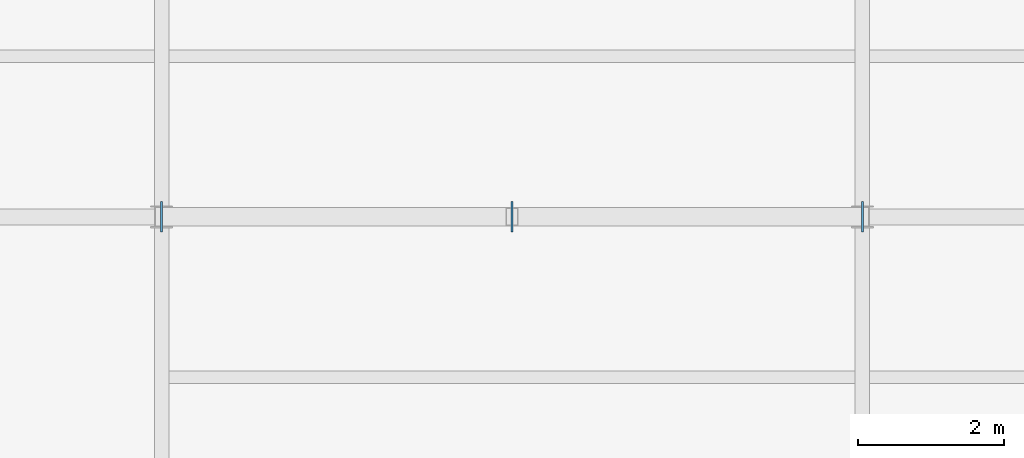
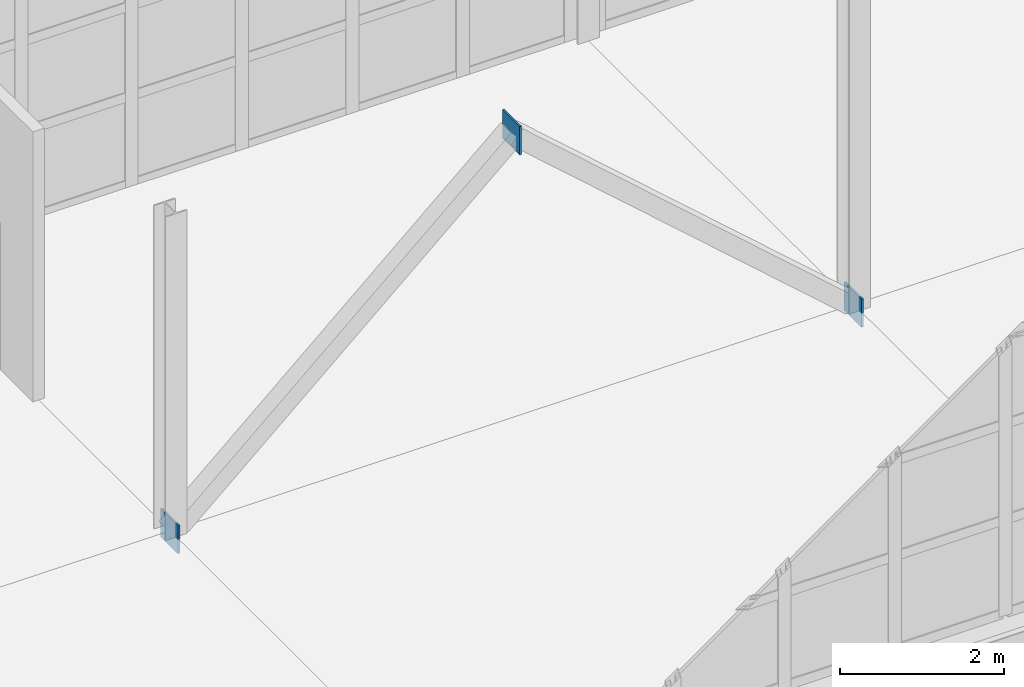
# One storey, part 105 of 120: 3 plates.
"""IFC4 building model written with IfcOpenShell, lengths in metres."""

import ifcopenshell
import ifcopenshell.guid

model = None  # the IFC model being written
_history = None  # IfcOwnerHistory: only IFC2X3 demands one
_inside = {}  # id of a spatial element -> (the spatial element, [elements in it])
_under = {}  # id of a project, library or spatial element -> (it, [spatial elements below it])
_declared = {}  # id of a project -> (the project, [libraries it declares])
_typed = {}  # id of a type object -> (the type object, [elements of that type])
_made_of = {}  # id of a material, layer set ... -> (it, [elements and type objects made of it])


def new_model(schema):
    """Start an empty IFC model of exactly this schema.

    Asked for "IFC4X3", IfcOpenShell would pick the latest addendum, in which some entities
    have other attributes; the version numbers below select the first issue.
    IFC2X3 requires an IfcOwnerHistory on every rooted entity: one is made here for all.
    """
    global model, _history
    if schema == "IFC4X3":
        model = ifcopenshell.file(schema_version=(4, 3, 0, 0))
    else:
        model = ifcopenshell.file(schema=schema)
    _inside.clear()
    _under.clear()
    _declared.clear()
    _typed.clear()
    _made_of.clear()
    _history = None
    if model.schema == "IFC2X3":
        org = make("IfcOrganization", Name="unknown")
        user = make(
            "IfcPersonAndOrganization",
            ThePerson=make("IfcPerson", FamilyName="unknown"),
            TheOrganization=org,
        )
        app = make(
            "IfcApplication",
            ApplicationDeveloper=org,
            Version="unknown",
            ApplicationFullName="unknown",
            ApplicationIdentifier="unknown",
        )
        _history = make(
            "IfcOwnerHistory",
            OwningUser=user,
            OwningApplication=app,
            ChangeAction="ADDED",
            CreationDate=0,
        )
    return model


def make(cls, **values):
    """One entity of the class cls with the attributes given. An attribute that is None is left unset."""
    return model.create_entity(
        cls, **{name: value for name, value in values.items() if value is not None}
    )


def rooted(cls, **values):
    """An entity with a GlobalId (a new one), such as an element, a storey or a relation."""
    return make(cls, GlobalId=ifcopenshell.guid.new(), OwnerHistory=_history, **values)


def si_unit(unit_type, name, prefix=None):
    """IfcSIUnit, for example si_unit("LENGTHUNIT", "METRE", prefix="MILLI")."""
    return make("IfcSIUnit", UnitType=unit_type, Prefix=prefix, Name=name)


def assignment(units):
    """IfcUnitAssignment: the units of a project."""
    return None if units is None else make("IfcUnitAssignment", Units=units)


def point(xyz):
    """IfcCartesianPoint."""
    return None if xyz is None else make("IfcCartesianPoint", Coordinates=xyz)


def direction(xyz):
    """IfcDirection."""
    return None if xyz is None else make("IfcDirection", DirectionRatios=xyz)


def frame(location, z_axis=None, x_axis=None):
    """IfcAxis2Placement3D, a coordinate frame: its origin and axes. An axis left out is left unset."""
    return make(
        "IfcAxis2Placement3D",
        Location=point(location),
        Axis=direction(z_axis),
        RefDirection=direction(x_axis),
    )


def frame_2d(location, x_axis=None):
    """IfcAxis2Placement2D, a coordinate frame in the plane: its origin and x axis."""
    return make(
        "IfcAxis2Placement2D", Location=point(location), RefDirection=direction(x_axis)
    )


def origin():
    """The frame at (0, 0, 0) with its axes left unset."""
    return frame((0.0, 0.0, 0.0))


def origin_2d():
    """The frame at (0, 0) in the plane with its x axis left unset."""
    return frame_2d((0.0, 0.0))


def place(relative_to, where):
    """IfcLocalPlacement: puts the frame where relative to a parent placement (None: the world)."""
    return make(
        "IfcLocalPlacement", PlacementRelTo=relative_to, RelativePlacement=where
    )


def context(
    kind, dimensions, precision=None, world=None, true_north=None, identifier=None
):
    """IfcGeometricRepresentationContext, for example the 3D "Model" context."""
    return make(
        "IfcGeometricRepresentationContext",
        ContextIdentifier=identifier,
        ContextType=kind,
        CoordinateSpaceDimension=dimensions,
        Precision=precision,
        WorldCoordinateSystem=world,
        TrueNorth=true_north,
    )


def subcontext(parent, identifier, kind, view, scale=None):
    """IfcGeometricRepresentationSubContext, for example "Body" below "Model"."""
    return make(
        "IfcGeometricRepresentationSubContext",
        ContextIdentifier=identifier,
        ContextType=kind,
        ParentContext=parent,
        TargetScale=scale,
        TargetView=view,
    )


def project(units=None, contexts=None):
    """IfcProject with its units and contexts."""
    return rooted(
        "IfcProject",
        Name="project",
        RepresentationContexts=contexts,
        UnitsInContext=assignment(units),
    )


def spatial(cls, under=None, at=None, **own):
    """A site, building, storey or space (cls), placed at a placement, below another one or the project."""
    s = rooted(cls, ObjectPlacement=at, **own)
    if under is not None:
        _under.setdefault(under.id(), (under, []))[1].append(s)
    return s


def profile(cls, at=None, kind="AREA", **sizes):
    """A parametric profile (cls). Its sizes go by their IFC names, for example OverallWidth=200.0."""
    return make(cls, ProfileType=kind, Position=at, **sizes)


def rectangle(**sizes):
    """IfcRectangleProfileDef."""
    return profile("IfcRectangleProfileDef", **sizes)


def extrude(swept, where, along, depth):
    """IfcExtrudedAreaSolid: the profile swept, set in the frame where, extruded along a direction by depth."""
    return make(
        "IfcExtrudedAreaSolid",
        SweptArea=swept,
        Position=where,
        ExtrudedDirection=direction(along),
        Depth=depth,
    )


def shape(context_of_items, identifier, shape_type, items):
    """IfcShapeRepresentation: the items that make up one representation, for example the "Body"."""
    return make(
        "IfcShapeRepresentation",
        ContextOfItems=context_of_items,
        RepresentationIdentifier=identifier,
        RepresentationType=shape_type,
        Items=items,
    )


def material(Name=None, Category=None):
    """IfcMaterial."""
    return make("IfcMaterial", Name=Name, Category=Category)


def layer(
    of_material, thickness, ventilated=None, Name=None, Category=None, Priority=None
):
    """IfcMaterialLayer: one layer of a wall or slab, of a material (None: an air gap)."""
    return make(
        "IfcMaterialLayer",
        Material=of_material,
        LayerThickness=thickness,
        IsVentilated=ventilated,
        Name=Name,
        Category=Category,
        Priority=Priority,
    )


def layer_set(layers, Name=None):
    """IfcMaterialLayerSet."""
    return make("IfcMaterialLayerSet", MaterialLayers=layers, LayerSetName=Name)


def made_of(thing, what):
    """Note that an element or type object is made of a material, layer set ...; save() writes the relation."""
    if what is not None:
        _made_of.setdefault(what.id(), (what, []))[1].append(thing)
    return thing


def type_object(cls, material=None, **own):
    """A type object (cls), such as IfcWallType, which elements share."""
    return made_of(rooted(cls, **own), material)


def element(
    cls,
    number,
    at=None,
    inside=None,
    cuts=None,
    type_object=None,
    material=None,
    context=None,
    identifier="Body",
    shape_type=None,
    held_by="IfcProductDefinitionShape",
    body=None,
    shapes=None,
    **own,
):
    """One element of the class cls, such as IfcWall. Its Tag is "e" and its number.

    at: its placement. inside: the storey or other place that contains it. cuts: it is an
    opening in that element (IfcRelVoidsElement). A single representation is given by context,
    identifier, shape_type and body (its items); several are given by shapes. held_by: the class
    of the entity that holds the representations. save() writes the other relations.
    """
    e = rooted(cls, Tag="e%d" % number, ObjectPlacement=at, **own)
    if body is not None:
        shapes = [shape(context, identifier, shape_type, body)]
    if shapes is not None:
        e.Representation = make(held_by, Representations=shapes)
    if inside is not None:
        _inside.setdefault(inside.id(), (inside, []))[1].append(e)
    if cuts is not None:
        rooted(
            "IfcRelVoidsElement", RelatingBuildingElement=cuts, RelatedOpeningElement=e
        )
    if type_object is not None:
        _typed.setdefault(type_object.id(), (type_object, []))[1].append(e)
    return made_of(e, material)


def aggregate(whole, parts):
    """IfcRelAggregates: a whole, such as a stair, and the parts it consists of."""
    return rooted("IfcRelAggregates", RelatingObject=whole, RelatedObjects=parts)


def save(model, path):
    """Write the relations noted so far, then the file.

    IfcRelAggregates (storeys below a building ...), IfcRelContainedInSpatialStructure (elements
    in a storey), IfcRelDefinesByType, IfcRelAssociatesMaterial and IfcRelDeclares: one each for
    every whole, place, type object, material and project.
    """
    for whole, parts in _under.values():
        aggregate(whole, parts)
    for where, things in _inside.values():
        rooted(
            "IfcRelContainedInSpatialStructure",
            RelatedElements=things,
            RelatingStructure=where,
        )
    for kind, things in _typed.values():
        rooted("IfcRelDefinesByType", RelatedObjects=things, RelatingType=kind)
    for what, things in _made_of.values():
        rooted("IfcRelAssociatesMaterial", RelatedObjects=things, RelatingMaterial=what)
    for by, libraries in _declared.values():
        rooted("IfcRelDeclares", RelatingContext=by, RelatedDefinitions=libraries)
    model.write(path)


model = new_model("IFC4")

# Units and contexts
model_context = context("Model", 3, precision=1e-05, world=origin(), true_north=direction((0.0, 1.0)))
body_context = subcontext(model_context, "Body", "Model", "MODEL_VIEW")
ifc_project = project(units=[si_unit("LENGTHUNIT", "METRE"), si_unit("AREAUNIT", "SQUARE_METRE"), si_unit("VOLUMEUNIT", "CUBIC_METRE"), si_unit("PLANEANGLEUNIT", "RADIAN"), si_unit("MASSUNIT", "GRAM", prefix="KILO")], contexts=[model_context])

# Site, building, storey
site_placement = place(None, origin())
site = spatial("IfcSite", under=ifc_project, at=site_placement, CompositionType="ELEMENT")
building_placement = place(site_placement, origin())
building = spatial("IfcBuilding", under=site, at=building_placement, Name="Zarnetskaya Central Station", CompositionType="ELEMENT")
storey_placement = place(building_placement, frame((0.0, 0.0, 5.39990234375)))
storey = spatial("IfcBuildingStorey", under=building, at=storey_placement, Name="L01", CompositionType="ELEMENT", Elevation=5.39990234375)

# Plates
ifc_material = material(Name="Steel S355", Category="steel")
ifc_layer = layer(ifc_material, 0.028076171875, Name="Steel S355", Category="steel")
ifc_layer_set = layer_set([ifc_layer], Name="Steel S355")
plate_type = type_object("IfcPlateType", Name="ND-GUSSET-28", PredefinedType="USERDEFINED", material=ifc_layer_set)
for number, where, z_axis, x_axis, name in (
    (1, (134.39990234375, 6.60009765625, -0.2099609375), (0.0, 0.0, 1.0), (1.0, 0.0, 0.0), "Structural member end gusset plate 140"),
    (2, (139.199951171875, 6.60009765625, 4.030029296875), (0.0, 0.0, 1.0), (1.0, 0.0, 0.0), "Structural member end gusset plate 141"),
    (3, (144.0, 6.60009765625, -0.2099609375), (0.0, 0.0, 1.0), (1.0, 0.0, 0.0), "Structural member end gusset plate 142"),
):
    element("IfcPlate", number, at=place(storey_placement, frame(where, z_axis=z_axis, x_axis=x_axis)), inside=storey, type_object=plate_type, Name=name, ObjectType="GUSSET PLATE", PredefinedType="USERDEFINED", context=body_context, shape_type="SweptSolid", body=[
        extrude(rectangle(XDim=0.028076171875, YDim=0.419921875, at=origin_2d()), origin(), (0.0, 0.0, 1.0), 0.419921875),
    ])

save(model, "model.ifc")
